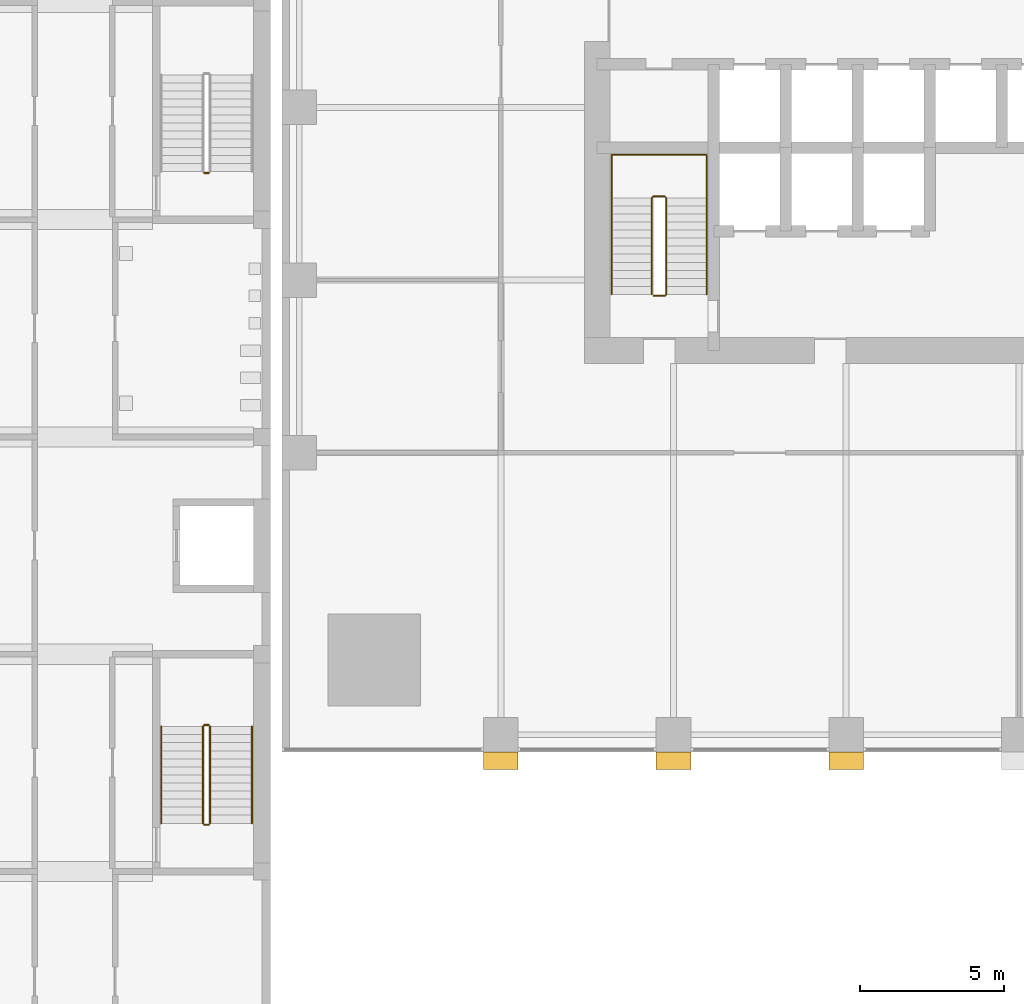
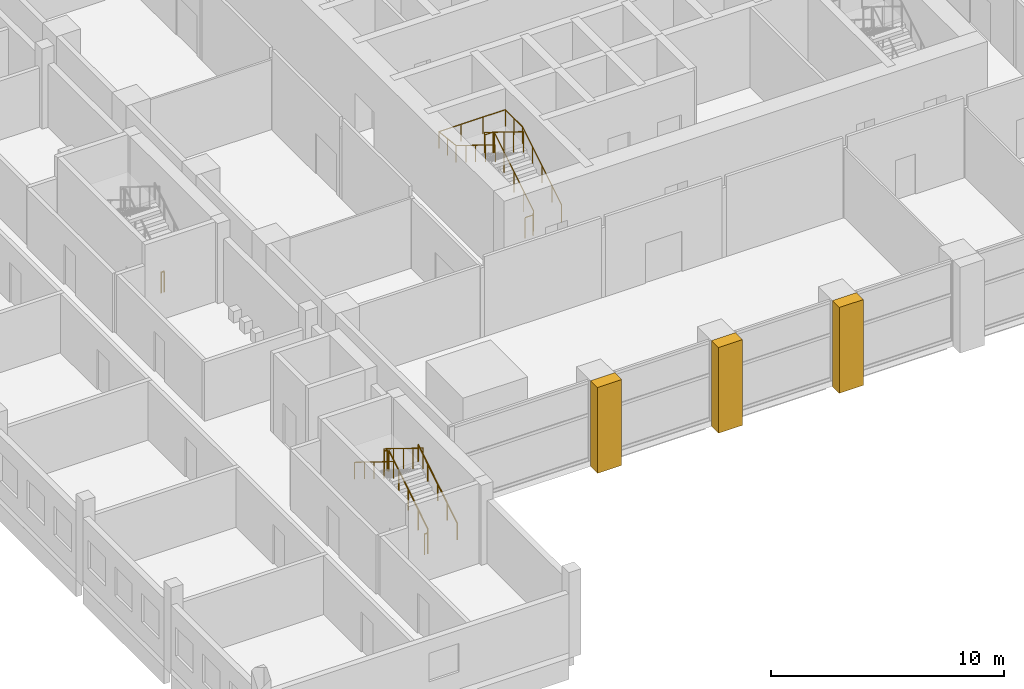
# One storey, part 20 of 25: 9 railings, 3 coverings.
"""IFC4 building model written with IfcOpenShell, lengths in metres."""

from ifc_helpers import new_model, si_unit, direction, frame, origin, origin_2d, place, context, subcontext, project, spatial, polyline, circle, outline, extrude, material, layer, layer_set, type_object, element, save


model = new_model("IFC4")

# Units and contexts
model_context = context("Model", 3, precision=1e-05, world=origin(), true_north=direction((0.0, 1.0)))
body_context = subcontext(model_context, "Body", "Model", "MODEL_VIEW")
ifc_project = project(units=[si_unit("LENGTHUNIT", "METRE"), si_unit("AREAUNIT", "SQUARE_METRE"), si_unit("VOLUMEUNIT", "CUBIC_METRE"), si_unit("PLANEANGLEUNIT", "RADIAN"), si_unit("MASSUNIT", "GRAM", prefix="KILO")], contexts=[model_context])

# Site, building, storey
site_placement = place(None, origin())
site = spatial("IfcSite", under=ifc_project, at=site_placement, CompositionType="ELEMENT")
building_placement = place(site_placement, origin())
building = spatial("IfcBuilding", under=site, at=building_placement, Name="Amberfall Residences", CompositionType="ELEMENT")
storey_placement = place(building_placement, frame((0.0, 0.0, 14.5)))
storey = spatial("IfcBuildingStorey", under=building, at=storey_placement, Name="L03", CompositionType="ELEMENT", Elevation=14.5)

# Coverings
ifc_material_1 = material(Name="Pale stone cladding on insulated backing", Category="masonry")
ifc_layer = layer(ifc_material_1, 1.199951171875)
ifc_layer_set = layer_set([ifc_layer], Name="Podium stone pier 1200 x 600")
covering_type = type_object("IfcCoveringType", Name="Podium stone pier 1200 x 600", PredefinedType="CLADDING", material=ifc_layer_set)
covering_1_placement = place(storey_placement, frame((0.0, 0.0, -0.300048828125)))
element("IfcCovering", 1, at=covering_1_placement, inside=storey, type_object=covering_type, Name="Podium pier L03 S1", PredefinedType="CLADDING", context=body_context, shape_type="SweptSolid", body=[
    extrude(outline(polyline([(59.0, 20.0), (60.199951171875, 20.0), (60.199951171875, 19.39990234375), (59.0, 19.39990234375), (59.0, 20.0)])), origin(), (0.0, 0.0, 1.0), 4.5),
])
covering_2_placement = place(storey_placement, frame((0.0, 0.0, -0.300048828125)))
element("IfcCovering", 2, at=covering_2_placement, inside=storey, type_object=covering_type, Name="Podium pier L03 S2", PredefinedType="CLADDING", context=body_context, shape_type="SweptSolid", body=[
    extrude(outline(polyline([(65.0, 20.0), (66.199951171875, 20.0), (66.199951171875, 19.39990234375), (65.0, 19.39990234375), (65.0, 20.0)])), origin(), (0.0, 0.0, 1.0), 4.5),
])
covering_3_placement = place(storey_placement, frame((0.0, 0.0, -0.300048828125)))
element("IfcCovering", 3, at=covering_3_placement, inside=storey, type_object=covering_type, Name="Podium pier L03 S3", PredefinedType="CLADDING", context=body_context, shape_type="SweptSolid", body=[
    extrude(outline(polyline([(71.0, 20.0), (72.199951171875, 20.0), (72.199951171875, 19.39990234375), (71.0, 19.39990234375), (71.0, 20.0)])), origin(), (0.0, 0.0, 1.0), 4.5),
])

# Railings
ifc_material_2 = material(Name="Stainless steel", Category="steel")
railing_type_1 = type_object("IfcRailingType", Name="School stair guard 1100", PredefinedType="GUARDRAIL", material=ifc_material_2)
railing_1_placement = place(storey_placement, frame((49.5, 17.52490234375, 0.173095703125)))
element("IfcRailing", 4, at=railing_1_placement, inside=storey, type_object=railing_type_1, Name="L03 SS1 stair guard 1", PredefinedType="GUARDRAIL", context=body_context, shape_type="SweptSolid", body=[
    extrude(circle(Radius=0.02392578125, at=origin_2d()), frame((0.0, 0.0, 1.076171875), z_axis=(0.0, 0.850623216509, 0.525775754039), x_axis=(-1.0, 0.0, 0.0)), (0.0, 0.0, 1.0), 3.9501953125),
    extrude(circle(Radius=0.02099609375, at=origin_2d()), origin(), (0.0, 0.0, 1.0), 1.052001953125),
    extrude(circle(Radius=0.02099609375, at=origin_2d()), frame((0.0, 0.840087890625, 0.519287109375)), (0.0, 0.0, 1.0), 1.052001953125),
    extrude(circle(Radius=0.02099609375, at=origin_2d()), frame((0.0, 1.68017578125, 1.03857421875)), (0.0, 0.0, 1.0), 1.052001953125),
    extrude(circle(Radius=0.02099609375, at=origin_2d()), frame((0.0, 2.52001953125, 1.5576171875)), (0.0, 0.0, 1.0), 1.052001953125),
    extrude(circle(Radius=0.02099609375, at=origin_2d()), frame((0.0, 3.360107421875, 2.076904296875)), (0.0, 0.0, 1.0), 1.052001953125),
])
railing_2_placement = place(storey_placement, frame((49.449951171875, 20.93505859375, 2.25)))
element("IfcRailing", 5, at=railing_2_placement, inside=storey, type_object=railing_type_1, Name="L03 SS1 stair guard 2", PredefinedType="GUARDRAIL", context=body_context, shape_type="SweptSolid", body=[
    extrude(circle(Radius=0.02392578125, at=origin_2d()), frame((0.0, 0.0, 1.076171875), z_axis=(-1.0, 0.0, 0.0), x_axis=(0.0, -1.0, 0.0)), (0.0, 0.0, 1.0), 0.14990234375),
    extrude(circle(Radius=0.02099609375, at=origin_2d()), origin(), (0.0, 0.0, 1.0), 1.052001953125),
    extrude(circle(Radius=0.02099609375, at=origin_2d()), frame((-0.14990234375, 0.0, 0.0)), (0.0, 0.0, 1.0), 1.052001953125),
])
railing_3_placement = place(storey_placement, frame((49.25, 20.885009765625, 2.423095703125)))
element("IfcRailing", 6, at=railing_3_placement, inside=storey, type_object=railing_type_1, Name="L03 SS1 stair guard 3", PredefinedType="GUARDRAIL", context=body_context, shape_type="SweptSolid", body=[
    extrude(circle(Radius=0.02392578125, at=origin_2d()), frame((0.0, 0.0, 1.076171875), z_axis=(0.0, -0.850623216509, 0.525775754039), x_axis=(1.0, 0.0, 0.0)), (0.0, 0.0, 1.0), 3.9501953125),
    extrude(circle(Radius=0.02099609375, at=origin_2d()), origin(), (0.0, 0.0, 1.0), 1.052001953125),
    extrude(circle(Radius=0.02099609375, at=origin_2d()), frame((0.0, -0.840087890625, 0.519287109375)), (0.0, 0.0, 1.0), 1.052001953125),
    extrude(circle(Radius=0.02099609375, at=origin_2d()), frame((0.0, -1.68017578125, 1.03857421875)), (0.0, 0.0, 1.0), 1.052001953125),
    extrude(circle(Radius=0.02099609375, at=origin_2d()), frame((0.0, -2.52001953125, 1.5576171875)), (0.0, 0.0, 1.0), 1.052001953125),
    extrude(circle(Radius=0.02099609375, at=origin_2d()), frame((0.0, -3.360107421875, 2.076904296875)), (0.0, 0.0, 1.0), 1.052001953125),
])
for number, where, name in (
    (7, (49.449951171875, 17.47509765625, 0.0), "L03 SS1 stair guard 4"),
    (8, (49.449951171875, 40.125, 0.0), "L03 SS2 stair guard 4"),
):
    element("IfcRailing", number, at=place(storey_placement, frame(where)), inside=storey, type_object=railing_type_1, Name=name, PredefinedType="GUARDRAIL", context=body_context, shape_type="SweptSolid", body=[
        extrude(circle(Radius=0.02392578125, at=origin_2d()), frame((0.0, 0.0, 1.076171875), z_axis=(-1.0, 0.0, 0.0), x_axis=(0.0, -1.0, 0.0)), (0.0, 0.0, 1.0), 0.14990234375),
        extrude(circle(Radius=0.02099609375, at=origin_2d()), origin(), (0.0, 0.0, 1.0), 1.052001953125),
        extrude(circle(Radius=0.02099609375, at=origin_2d()), frame((-0.14990234375, 0.0, 0.0)), (0.0, 0.0, 1.0), 1.052001953125),
    ])
railing_type_2 = type_object("IfcRailingType", Name="School stair handrail", PredefinedType="HANDRAIL", material=ifc_material_2)
railing_4_placement = place(storey_placement, frame((50.949951171875, 17.52490234375, 0.173095703125)))
element("IfcRailing", 9, at=railing_4_placement, inside=storey, type_object=railing_type_2, Name="L03 SS1 stair handrail 1", PredefinedType="HANDRAIL", context=body_context, shape_type="SweptSolid", body=[
    extrude(circle(Radius=0.02392578125, at=origin_2d()), frame((0.0, 0.0, 0.8759765625), z_axis=(0.0, 0.850623216509, 0.525775754039), x_axis=(-1.0, 0.0, 0.0)), (0.0, 0.0, 1.0), 3.9501953125),
    extrude(circle(Radius=0.02099609375, at=origin_2d()), origin(), (0.0, 0.0, 1.0), 0.851806640625),
    extrude(circle(Radius=0.02099609375, at=origin_2d()), frame((0.0, 0.840087890625, 0.519287109375)), (0.0, 0.0, 1.0), 0.851806640625),
    extrude(circle(Radius=0.02099609375, at=origin_2d()), frame((0.0, 1.68017578125, 1.03857421875)), (0.0, 0.0, 1.0), 0.851806640625),
    extrude(circle(Radius=0.02099609375, at=origin_2d()), frame((0.0, 2.52001953125, 1.5576171875)), (0.0, 0.0, 1.0), 0.851806640625),
    extrude(circle(Radius=0.02099609375, at=origin_2d()), frame((0.0, 3.360107421875, 2.076904296875)), (0.0, 0.0, 1.0), 0.851806640625),
])
railing_5_placement = place(storey_placement, frame((47.800048828125, 20.885009765625, 2.423095703125)))
element("IfcRailing", 10, at=railing_5_placement, inside=storey, type_object=railing_type_2, Name="L03 SS1 stair handrail 2", PredefinedType="HANDRAIL", context=body_context, shape_type="SweptSolid", body=[
    extrude(circle(Radius=0.02392578125, at=origin_2d()), frame((0.0, 0.0, 0.8759765625), z_axis=(0.0, -0.850623216509, 0.525775754039), x_axis=(1.0, 0.0, 0.0)), (0.0, 0.0, 1.0), 3.9501953125),
    extrude(circle(Radius=0.02099609375, at=origin_2d()), origin(), (0.0, 0.0, 1.0), 0.851806640625),
    extrude(circle(Radius=0.02099609375, at=origin_2d()), frame((0.0, -0.840087890625, 0.519287109375)), (0.0, 0.0, 1.0), 0.851806640625),
    extrude(circle(Radius=0.02099609375, at=origin_2d()), frame((0.0, -1.68017578125, 1.03857421875)), (0.0, 0.0, 1.0), 0.851806640625),
    extrude(circle(Radius=0.02099609375, at=origin_2d()), frame((0.0, -2.52001953125, 1.5576171875)), (0.0, 0.0, 1.0), 0.851806640625),
    extrude(circle(Radius=0.02099609375, at=origin_2d()), frame((0.0, -3.360107421875, 2.076904296875)), (0.0, 0.0, 1.0), 0.851806640625),
])
ifc_material_3 = material(Name="Stainless steel 316", Category="steel")
railing_type_3 = type_object("IfcRailingType", Name="Stair guard 1100", PredefinedType="GUARDRAIL", material=ifc_material_3)
railing_6_placement = place(storey_placement, frame((64.89990234375, 35.85009765625, 0.0)))
element("IfcRailing", 11, at=railing_6_placement, inside=storey, type_object=railing_type_3, Name="L03 stair 1 guard", PredefinedType="GUARDRAIL", context=body_context, shape_type="SweptSolid", body=[
    extrude(circle(Radius=0.02392578125, at=origin_2d()), frame((0.0, 0.0, 1.076171875), z_axis=(1.0, 0.0, 0.0), x_axis=(0.0, 1.0, 0.0)), (0.0, 0.0, 1.0), 0.400146484375),
    extrude(circle(Radius=0.02392578125, at=origin_2d()), frame((0.400146484375, 0.0, 1.076171875), z_axis=(0.267723051232, 0.266417085129, 0.925929967433), x_axis=(-0.705375805398, 0.708833529934, 0.0)), (0.0, 0.0, 1.0), 0.18701171875),
    extrude(circle(Radius=0.02392578125, at=origin_2d()), frame((0.4501953125, 0.0498046875, 1.2490234375), z_axis=(0.0, 0.850623216509, 0.525775754039), x_axis=(-1.0, 0.0, 0.0)), (0.0, 0.0, 1.0), 3.9501953125),
    extrude(circle(Radius=0.02392578125, at=origin_2d()), frame((0.4501953125, 3.409912109375, 3.326171875), z_axis=(-0.707106781187, 0.707106781187, 0.0), x_axis=(-0.707106781187, -0.707106781187, 0.0)), (0.0, 0.0, 1.0), 0.07080078125),
    extrude(circle(Radius=0.02392578125, at=origin_2d()), frame((0.400146484375, 3.4599609375, 3.326171875), z_axis=(-1.0, 0.0, 0.0), x_axis=(0.0, -1.0, 0.0)), (0.0, 0.0, 1.0), 0.400146484375),
    extrude(circle(Radius=0.02392578125, at=origin_2d()), frame((0.0, 3.4599609375, 3.326171875), z_axis=(-0.266417085129, -0.267723051232, 0.925929967433), x_axis=(0.708833529934, -0.705375805398, 0.0)), (0.0, 0.0, 1.0), 0.18701171875),
    extrude(circle(Radius=0.02392578125, at=origin_2d()), frame((-0.0498046875, 3.409912109375, 3.4990234375), z_axis=(0.0, -0.850623216509, 0.525775754039), x_axis=(1.0, 0.0, 0.0)), (0.0, 0.0, 1.0), 3.9501953125),
    extrude(circle(Radius=0.02099609375, at=origin_2d()), origin(), (0.0, 0.0, 1.0), 1.052001953125),
    extrude(circle(Radius=0.02099609375, at=origin_2d()), frame((0.400146484375, 0.0, 0.0)), (0.0, 0.0, 1.0), 1.052001953125),
    extrude(circle(Radius=0.02099609375, at=origin_2d()), frame((0.4501953125, 0.0498046875, 0.173095703125)), (0.0, 0.0, 1.0), 1.052001953125),
    extrude(circle(Radius=0.02099609375, at=origin_2d()), frame((0.4501953125, 0.889892578125, 0.6923828125)), (0.0, 0.0, 1.0), 1.052001953125),
    extrude(circle(Radius=0.02099609375, at=origin_2d()), frame((0.4501953125, 1.72998046875, 1.21142578125)), (0.0, 0.0, 1.0), 1.052001953125),
    extrude(circle(Radius=0.02099609375, at=origin_2d()), frame((0.4501953125, 2.56982421875, 1.730712890625)), (0.0, 0.0, 1.0), 1.052001953125),
    extrude(circle(Radius=0.02099609375, at=origin_2d()), frame((0.4501953125, 3.409912109375, 2.25)), (0.0, 0.0, 1.0), 1.052001953125),
    extrude(circle(Radius=0.02099609375, at=origin_2d()), frame((0.400146484375, 3.4599609375, 2.25)), (0.0, 0.0, 1.0), 1.052001953125),
    extrude(circle(Radius=0.02099609375, at=origin_2d()), frame((0.0, 3.4599609375, 2.25)), (0.0, 0.0, 1.0), 1.052001953125),
    extrude(circle(Radius=0.02099609375, at=origin_2d()), frame((-0.0498046875, 3.409912109375, 2.423095703125)), (0.0, 0.0, 1.0), 1.052001953125),
    extrude(circle(Radius=0.02099609375, at=origin_2d()), frame((-0.0498046875, 2.56982421875, 2.9423828125)), (0.0, 0.0, 1.0), 1.052001953125),
    extrude(circle(Radius=0.02099609375, at=origin_2d()), frame((-0.0498046875, 1.72998046875, 3.46142578125)), (0.0, 0.0, 1.0), 1.052001953125),
    extrude(circle(Radius=0.02099609375, at=origin_2d()), frame((-0.0498046875, 0.889892578125, 3.980712890625)), (0.0, 0.0, 1.0), 1.052001953125),
    extrude(circle(Radius=0.02099609375, at=origin_2d()), frame((-0.0498046875, 0.0498046875, 4.5)), (0.0, 0.0, 1.0), 1.052001953125),
])
railing_type_4 = type_object("IfcRailingType", Name="Stair handrail 900", PredefinedType="HANDRAIL", material=ifc_material_3)
railing_7_placement = place(storey_placement, frame((66.75, 35.89990234375, 0.173095703125)))
element("IfcRailing", 12, at=railing_7_placement, inside=storey, type_object=railing_type_4, Name="L03 stair 1 handrail", PredefinedType="HANDRAIL", context=body_context, shape_type="SweptSolid", body=[
    extrude(circle(Radius=0.02392578125, at=origin_2d()), frame((0.0, 0.0, 0.8759765625), z_axis=(0.0, 0.850623216509, 0.525775754039), x_axis=(-1.0, 0.0, 0.0)), (0.0, 0.0, 1.0), 3.9501953125),
    extrude(circle(Radius=0.02392578125, at=origin_2d()), frame((0.0, 3.360107421875, 2.95263671875), z_axis=(0.0, 1.0, 0.0), x_axis=(-1.0, 0.0, 0.0)), (0.0, 0.0, 1.0), 1.489990234375),
    extrude(circle(Radius=0.02392578125, at=origin_2d()), frame((0.0, 4.85009765625, 2.95263671875), z_axis=(-1.0, 0.0, 0.0), x_axis=(0.0, -1.0, 0.0)), (0.0, 0.0, 1.0), 3.300048828125),
    extrude(circle(Radius=0.02392578125, at=origin_2d()), frame((-3.300048828125, 4.85009765625, 2.95263671875), z_axis=(0.0, -0.993319533971, 0.115396288642), x_axis=(1.0, 0.0, 0.0)), (0.0, 0.0, 1.0), 1.5),
    extrude(circle(Radius=0.02392578125, at=origin_2d()), frame((-3.300048828125, 3.360107421875, 3.1259765625), z_axis=(0.0, -0.850623216509, 0.525775754039), x_axis=(1.0, 0.0, 0.0)), (0.0, 0.0, 1.0), 3.9501953125),
    extrude(circle(Radius=0.02099609375, at=origin_2d()), origin(), (0.0, 0.0, 1.0), 0.851806640625),
    extrude(circle(Radius=0.02099609375, at=origin_2d()), frame((0.0, 0.840087890625, 0.519287109375)), (0.0, 0.0, 1.0), 0.851806640625),
    extrude(circle(Radius=0.02099609375, at=origin_2d()), frame((0.0, 1.68017578125, 1.03857421875)), (0.0, 0.0, 1.0), 0.851806640625),
    extrude(circle(Radius=0.02099609375, at=origin_2d()), frame((0.0, 2.52001953125, 1.5576171875)), (0.0, 0.0, 1.0), 0.851806640625),
    extrude(circle(Radius=0.02099609375, at=origin_2d()), frame((0.0, 3.360107421875, 2.076904296875)), (0.0, 0.0, 1.0), 0.851806640625),
    extrude(circle(Radius=0.02099609375, at=origin_2d()), frame((0.0, 4.10498046875, 2.076904296875)), (0.0, 0.0, 1.0), 0.851806640625),
    extrude(circle(Radius=0.02099609375, at=origin_2d()), frame((0.0, 4.85009765625, 2.076904296875)), (0.0, 0.0, 1.0), 0.851806640625),
    extrude(circle(Radius=0.02099609375, at=origin_2d()), frame((-1.10009765625, 4.85009765625, 2.076904296875)), (0.0, 0.0, 1.0), 0.851806640625),
    extrude(circle(Radius=0.02099609375, at=origin_2d()), frame((-2.199951171875, 4.85009765625, 2.076904296875)), (0.0, 0.0, 1.0), 0.851806640625),
    extrude(circle(Radius=0.02099609375, at=origin_2d()), frame((-3.300048828125, 4.85009765625, 2.076904296875)), (0.0, 0.0, 1.0), 0.851806640625),
    extrude(circle(Radius=0.02099609375, at=origin_2d()), frame((-3.300048828125, 4.10498046875, 2.16357421875)), (0.0, 0.0, 1.0), 0.851806640625),
    extrude(circle(Radius=0.02099609375, at=origin_2d()), frame((-3.300048828125, 3.360107421875, 2.25)), (0.0, 0.0, 1.0), 0.851806640625),
    extrude(circle(Radius=0.02099609375, at=origin_2d()), frame((-3.300048828125, 2.52001953125, 2.769287109375)), (0.0, 0.0, 1.0), 0.851806640625),
    extrude(circle(Radius=0.02099609375, at=origin_2d()), frame((-3.300048828125, 1.68017578125, 3.28857421875)), (0.0, 0.0, 1.0), 0.851806640625),
    extrude(circle(Radius=0.02099609375, at=origin_2d()), frame((-3.300048828125, 0.840087890625, 3.8076171875)), (0.0, 0.0, 1.0), 0.851806640625),
    extrude(circle(Radius=0.02099609375, at=origin_2d()), frame((-3.300048828125, 0.0, 4.326904296875)), (0.0, 0.0, 1.0), 0.851806640625),
])

save(model, "model.ifc")
